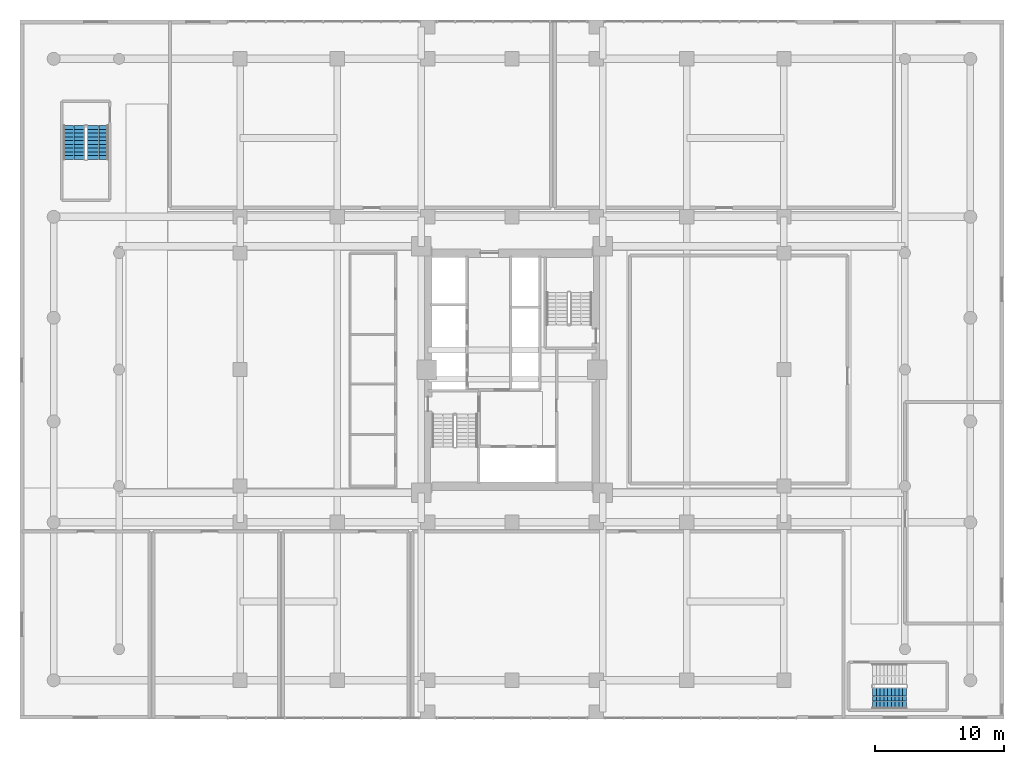
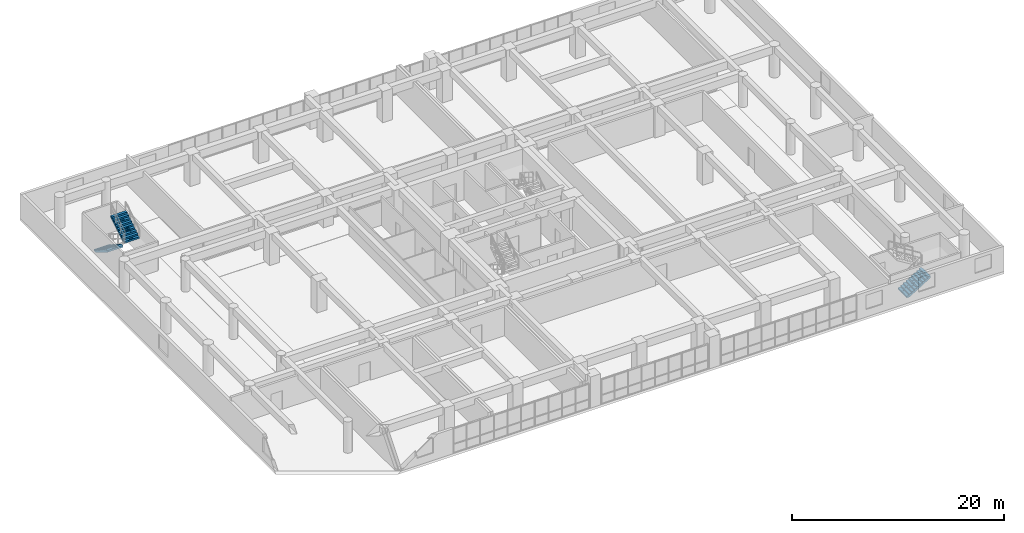
# One storey, part 23 of 30: 3 stair flights, 2 elements without a shape of their own.
"""IFC4 building model written with IfcOpenShell, lengths in metres."""

from ifc_helpers import new_model, si_unit, direction, frame, origin, place, context, subcontext, project, spatial, polyline, outline, extrude, material, type_object, element, aggregate, save


model = new_model("IFC4")

# Units and contexts
model_context = context("Model", 3, precision=1e-05, world=origin(), true_north=direction((0.0, 1.0)))
body_context = subcontext(model_context, "Body", "Model", "MODEL_VIEW")
ifc_project = project(units=[si_unit("LENGTHUNIT", "METRE"), si_unit("AREAUNIT", "SQUARE_METRE"), si_unit("VOLUMEUNIT", "CUBIC_METRE"), si_unit("PLANEANGLEUNIT", "RADIAN"), si_unit("MASSUNIT", "GRAM", prefix="KILO")], contexts=[model_context])

# Site, building, storey
site_placement = place(None, origin())
site = spatial("IfcSite", under=ifc_project, at=site_placement, CompositionType="ELEMENT")
building_placement = place(site_placement, origin())
building = spatial("IfcBuilding", under=site, at=building_placement, Name="Saelheon Loggia Tower", CompositionType="ELEMENT")
storey_placement = place(building_placement, frame((0.0, 0.0, 7.800048828125)))
storey = spatial("IfcBuildingStorey", under=building, at=storey_placement, Name="L02", CompositionType="ELEMENT", Elevation=7.800048828125)

# Stair, stair flights
ifc_material = material(Name="Concrete C40/50", Category="concrete")
stair_type = type_object("IfcStairType", Name="Stair_Escape_Podium", PredefinedType="HALF_TURN_STAIR", material=ifc_material)
stair_1_placement = place(storey_placement, origin())
stair_1 = element("IfcStair", 1, at=stair_1_placement, inside=storey, type_object=stair_type, Name="L02 Podium Escape Stair ST3", PredefinedType="HALF_TURN_STAIR")
stair_flight_type = type_object("IfcStairFlightType", Name="StairFlight_Podium_1660", PredefinedType="STRAIGHT", material=ifc_material)
stair_flight_1_placement = place(storey_placement, frame((4.179931640625, 45.85009765625, 0.0), z_axis=(0.0, 0.0, 1.0), x_axis=(0.0, -1.0, 0.0)))
stair_flight_1 = element("IfcStairFlight", 2, at=stair_flight_1_placement, type_object=stair_flight_type, Name="ST3 flight 1", NumberOfRisers=10, NumberOfTreads=9, PredefinedType="STRAIGHT", RiserHeight=0.18, TreadLength=0.29, context=body_context, shape_type="SweptSolid", body=[
    extrude(outline(polyline([(0.0, 0.0), (0.0, 0.179931640625), (0.2900390625, 0.179931640625), (0.2900390625, 0.360107421875), (0.580078125, 0.360107421875), (0.580078125, 0.5400390625), (0.8701171875, 0.5400390625), (0.8701171875, 0.719970703125), (1.159912109375, 0.719970703125), (1.159912109375, 0.89990234375), (1.449951171875, 0.89990234375), (1.449951171875, 1.080078125), (1.739990234375, 1.080078125), (1.739990234375, 1.260009765625), (2.030029296875, 1.260009765625), (2.030029296875, 1.43994140625), (2.320068359375, 1.43994140625), (2.320068359375, 1.6201171875), (2.610107421875, 1.6201171875), (2.610107421875, 1.800048828125), (2.610107421875, 1.408203125), (0.34130859375, 0.0), (0.0, 0.0)])), frame((0.0, -0.2490234375, 0.0), z_axis=(0.0, -1.0, 0.0), x_axis=(1.0, 0.0, 0.0)), (0.0, 0.0, 1.0), 0.5810546875),
    extrude(outline(polyline([(0.0, 0.0), (0.0, 0.179931640625), (0.2900390625, 0.179931640625), (0.2900390625, 0.360107421875), (0.580078125, 0.360107421875), (0.580078125, 0.5400390625), (0.8701171875, 0.5400390625), (0.8701171875, 0.719970703125), (1.159912109375, 0.719970703125), (1.159912109375, 0.89990234375), (1.449951171875, 0.89990234375), (1.449951171875, 1.080078125), (1.739990234375, 1.080078125), (1.739990234375, 1.260009765625), (2.030029296875, 1.260009765625), (2.030029296875, 1.43994140625), (2.320068359375, 1.43994140625), (2.320068359375, 1.6201171875), (2.610107421875, 1.6201171875), (2.610107421875, 1.800048828125), (2.610107421875, 1.408203125), (0.34130859375, 0.0), (0.0, 0.0)])), frame((0.0, -0.194091796875, 0.0), z_axis=(0.0, -1.0, 0.0), x_axis=(1.0, 0.0, 0.0)), (0.0, 0.0, 1.0), 0.0498046875),
    extrude(outline(polyline([(0.0, 0.0), (0.0, 0.179931640625), (0.2900390625, 0.179931640625), (0.2900390625, 0.360107421875), (0.580078125, 0.360107421875), (0.580078125, 0.5400390625), (0.8701171875, 0.5400390625), (0.8701171875, 0.719970703125), (1.159912109375, 0.719970703125), (1.159912109375, 0.89990234375), (1.449951171875, 0.89990234375), (1.449951171875, 1.080078125), (1.739990234375, 1.080078125), (1.739990234375, 1.260009765625), (2.030029296875, 1.260009765625), (2.030029296875, 1.43994140625), (2.320068359375, 1.43994140625), (2.320068359375, 1.6201171875), (2.610107421875, 1.6201171875), (2.610107421875, 1.800048828125), (2.610107421875, 1.408203125), (0.34130859375, 0.0), (0.0, 0.0)])), frame((0.0, -0.139404296875, 0.0), z_axis=(0.0, -1.0, 0.0), x_axis=(1.0, 0.0, 0.0)), (0.0, 0.0, 1.0), 0.0498046875),
    extrude(outline(polyline([(0.0, 0.0), (0.0, 0.179931640625), (0.2900390625, 0.179931640625), (0.2900390625, 0.360107421875), (0.580078125, 0.360107421875), (0.580078125, 0.5400390625), (0.8701171875, 0.5400390625), (0.8701171875, 0.719970703125), (1.159912109375, 0.719970703125), (1.159912109375, 0.89990234375), (1.449951171875, 0.89990234375), (1.449951171875, 1.080078125), (1.739990234375, 1.080078125), (1.739990234375, 1.260009765625), (2.030029296875, 1.260009765625), (2.030029296875, 1.43994140625), (2.320068359375, 1.43994140625), (2.320068359375, 1.6201171875), (2.610107421875, 1.6201171875), (2.610107421875, 1.800048828125), (2.610107421875, 1.408203125), (0.34130859375, 0.0), (0.0, 0.0)])), frame((0.0, -0.084716796875, 0.0), z_axis=(0.0, -1.0, 0.0), x_axis=(1.0, 0.0, 0.0)), (0.0, 0.0, 1.0), 0.0498046875),
    extrude(outline(polyline([(0.0, 0.0), (0.0, 0.179931640625), (0.2900390625, 0.179931640625), (0.2900390625, 0.360107421875), (0.580078125, 0.360107421875), (0.580078125, 0.5400390625), (0.8701171875, 0.5400390625), (0.8701171875, 0.719970703125), (1.159912109375, 0.719970703125), (1.159912109375, 0.89990234375), (1.449951171875, 0.89990234375), (1.449951171875, 1.080078125), (1.739990234375, 1.080078125), (1.739990234375, 1.260009765625), (2.030029296875, 1.260009765625), (2.030029296875, 1.43994140625), (2.320068359375, 1.43994140625), (2.320068359375, 1.6201171875), (2.610107421875, 1.6201171875), (2.610107421875, 1.800048828125), (2.610107421875, 1.408203125), (0.34130859375, 0.0), (0.0, 0.0)])), frame((0.0, -0.02978515625, 0.0), z_axis=(0.0, -1.0, 0.0), x_axis=(1.0, 0.0, 0.0)), (0.0, 0.0, 1.0), 0.0498046875),
    extrude(outline(polyline([(0.0, 0.0), (0.0, 0.179931640625), (0.2900390625, 0.179931640625), (0.2900390625, 0.360107421875), (0.580078125, 0.360107421875), (0.580078125, 0.5400390625), (0.8701171875, 0.5400390625), (0.8701171875, 0.719970703125), (1.159912109375, 0.719970703125), (1.159912109375, 0.89990234375), (1.449951171875, 0.89990234375), (1.449951171875, 1.080078125), (1.739990234375, 1.080078125), (1.739990234375, 1.260009765625), (2.030029296875, 1.260009765625), (2.030029296875, 1.43994140625), (2.320068359375, 1.43994140625), (2.320068359375, 1.6201171875), (2.610107421875, 1.6201171875), (2.610107421875, 1.800048828125), (2.610107421875, 1.408203125), (0.34130859375, 0.0), (0.0, 0.0)])), frame((0.0, 0.02490234375, 0.0), z_axis=(0.0, -1.0, 0.0), x_axis=(1.0, 0.0, 0.0)), (0.0, 0.0, 1.0), 0.0498046875),
    extrude(outline(polyline([(0.0, 0.0), (0.0, 0.179931640625), (0.2900390625, 0.179931640625), (0.2900390625, 0.360107421875), (0.580078125, 0.360107421875), (0.580078125, 0.5400390625), (0.8701171875, 0.5400390625), (0.8701171875, 0.719970703125), (1.159912109375, 0.719970703125), (1.159912109375, 0.89990234375), (1.449951171875, 0.89990234375), (1.449951171875, 1.080078125), (1.739990234375, 1.080078125), (1.739990234375, 1.260009765625), (2.030029296875, 1.260009765625), (2.030029296875, 1.43994140625), (2.320068359375, 1.43994140625), (2.320068359375, 1.6201171875), (2.610107421875, 1.6201171875), (2.610107421875, 1.800048828125), (2.610107421875, 1.408203125), (0.34130859375, 0.0), (0.0, 0.0)])), frame((0.0, 0.07958984375, 0.0), z_axis=(0.0, -1.0, 0.0), x_axis=(1.0, 0.0, 0.0)), (0.0, 0.0, 1.0), 0.0498046875),
    extrude(outline(polyline([(0.0, 0.0), (0.0, 0.179931640625), (0.2900390625, 0.179931640625), (0.2900390625, 0.360107421875), (0.580078125, 0.360107421875), (0.580078125, 0.5400390625), (0.8701171875, 0.5400390625), (0.8701171875, 0.719970703125), (1.159912109375, 0.719970703125), (1.159912109375, 0.89990234375), (1.449951171875, 0.89990234375), (1.449951171875, 1.080078125), (1.739990234375, 1.080078125), (1.739990234375, 1.260009765625), (2.030029296875, 1.260009765625), (2.030029296875, 1.43994140625), (2.320068359375, 1.43994140625), (2.320068359375, 1.6201171875), (2.610107421875, 1.6201171875), (2.610107421875, 1.800048828125), (2.610107421875, 1.408203125), (0.34130859375, 0.0), (0.0, 0.0)])), frame((0.0, 0.134521484375, 0.0), z_axis=(0.0, -1.0, 0.0), x_axis=(1.0, 0.0, 0.0)), (0.0, 0.0, 1.0), 0.0498046875),
    extrude(outline(polyline([(0.0, 0.0), (0.0, 0.179931640625), (0.2900390625, 0.179931640625), (0.2900390625, 0.360107421875), (0.580078125, 0.360107421875), (0.580078125, 0.5400390625), (0.8701171875, 0.5400390625), (0.8701171875, 0.719970703125), (1.159912109375, 0.719970703125), (1.159912109375, 0.89990234375), (1.449951171875, 0.89990234375), (1.449951171875, 1.080078125), (1.739990234375, 1.080078125), (1.739990234375, 1.260009765625), (2.030029296875, 1.260009765625), (2.030029296875, 1.43994140625), (2.320068359375, 1.43994140625), (2.320068359375, 1.6201171875), (2.610107421875, 1.6201171875), (2.610107421875, 1.800048828125), (2.610107421875, 1.408203125), (0.34130859375, 0.0), (0.0, 0.0)])), frame((0.0, 0.189208984375, 0.0), z_axis=(0.0, -1.0, 0.0), x_axis=(1.0, 0.0, 0.0)), (0.0, 0.0, 1.0), 0.0498046875),
    extrude(outline(polyline([(0.0, 0.0), (0.0, 0.179931640625), (0.2900390625, 0.179931640625), (0.2900390625, 0.360107421875), (0.580078125, 0.360107421875), (0.580078125, 0.5400390625), (0.8701171875, 0.5400390625), (0.8701171875, 0.719970703125), (1.159912109375, 0.719970703125), (1.159912109375, 0.89990234375), (1.449951171875, 0.89990234375), (1.449951171875, 1.080078125), (1.739990234375, 1.080078125), (1.739990234375, 1.260009765625), (2.030029296875, 1.260009765625), (2.030029296875, 1.43994140625), (2.320068359375, 1.43994140625), (2.320068359375, 1.6201171875), (2.610107421875, 1.6201171875), (2.610107421875, 1.800048828125), (2.610107421875, 1.408203125), (0.34130859375, 0.0), (0.0, 0.0)])), frame((0.0, 0.243896484375, 0.0), z_axis=(0.0, -1.0, 0.0), x_axis=(1.0, 0.0, 0.0)), (0.0, 0.0, 1.0), 0.0498046875),
    extrude(outline(polyline([(0.0, 0.0), (0.0, 0.179931640625), (0.2900390625, 0.179931640625), (0.2900390625, 0.360107421875), (0.580078125, 0.360107421875), (0.580078125, 0.5400390625), (0.8701171875, 0.5400390625), (0.8701171875, 0.719970703125), (1.159912109375, 0.719970703125), (1.159912109375, 0.89990234375), (1.449951171875, 0.89990234375), (1.449951171875, 1.080078125), (1.739990234375, 1.080078125), (1.739990234375, 1.260009765625), (2.030029296875, 1.260009765625), (2.030029296875, 1.43994140625), (2.320068359375, 1.43994140625), (2.320068359375, 1.6201171875), (2.610107421875, 1.6201171875), (2.610107421875, 1.800048828125), (2.610107421875, 1.408203125), (0.34130859375, 0.0), (0.0, 0.0)])), frame((0.0, 0.830078125, 0.0), z_axis=(0.0, -1.0, 0.0), x_axis=(1.0, 0.0, 0.0)), (0.0, 0.0, 1.0), 0.5810546875),
])
stair_flight_2_placement = place(storey_placement, frame((6.0, 43.239990234375, 1.800048828125), z_axis=(0.0, 0.0, 1.0), x_axis=(0.0, 1.0, 0.0)))
stair_flight_2 = element("IfcStairFlight", 3, at=stair_flight_2_placement, type_object=stair_flight_type, Name="ST3 flight 2", NumberOfRisers=10, NumberOfTreads=9, PredefinedType="STRAIGHT", RiserHeight=0.18, TreadLength=0.29, context=body_context, shape_type="SweptSolid", body=[
    extrude(outline(polyline([(0.0, 0.0), (0.0, 0.179931640625), (0.2900390625, 0.179931640625), (0.2900390625, 0.360107421875), (0.580078125, 0.360107421875), (0.580078125, 0.5400390625), (0.8701171875, 0.5400390625), (0.8701171875, 0.719970703125), (1.159912109375, 0.719970703125), (1.159912109375, 0.89990234375), (1.449951171875, 0.89990234375), (1.449951171875, 1.080078125), (1.739990234375, 1.080078125), (1.739990234375, 1.260009765625), (2.030029296875, 1.260009765625), (2.030029296875, 1.43994140625), (2.320068359375, 1.43994140625), (2.320068359375, 1.6201171875), (2.610107421875, 1.6201171875), (2.610107421875, 1.800048828125), (2.610107421875, 1.408203125), (0.34130859375, 0.0), (0.0, 0.0)])), frame((0.0, -0.2490234375, 0.0), z_axis=(0.0, -1.0, 0.0), x_axis=(1.0, 0.0, 0.0)), (0.0, 0.0, 1.0), 0.5810546875),
    extrude(outline(polyline([(0.0, 0.0), (0.0, 0.179931640625), (0.2900390625, 0.179931640625), (0.2900390625, 0.360107421875), (0.580078125, 0.360107421875), (0.580078125, 0.5400390625), (0.8701171875, 0.5400390625), (0.8701171875, 0.719970703125), (1.159912109375, 0.719970703125), (1.159912109375, 0.89990234375), (1.449951171875, 0.89990234375), (1.449951171875, 1.080078125), (1.739990234375, 1.080078125), (1.739990234375, 1.260009765625), (2.030029296875, 1.260009765625), (2.030029296875, 1.43994140625), (2.320068359375, 1.43994140625), (2.320068359375, 1.6201171875), (2.610107421875, 1.6201171875), (2.610107421875, 1.800048828125), (2.610107421875, 1.408203125), (0.34130859375, 0.0), (0.0, 0.0)])), frame((0.0, -0.194091796875, 0.0), z_axis=(0.0, -1.0, 0.0), x_axis=(1.0, 0.0, 0.0)), (0.0, 0.0, 1.0), 0.0498046875),
    extrude(outline(polyline([(0.0, 0.0), (0.0, 0.179931640625), (0.2900390625, 0.179931640625), (0.2900390625, 0.360107421875), (0.580078125, 0.360107421875), (0.580078125, 0.5400390625), (0.8701171875, 0.5400390625), (0.8701171875, 0.719970703125), (1.159912109375, 0.719970703125), (1.159912109375, 0.89990234375), (1.449951171875, 0.89990234375), (1.449951171875, 1.080078125), (1.739990234375, 1.080078125), (1.739990234375, 1.260009765625), (2.030029296875, 1.260009765625), (2.030029296875, 1.43994140625), (2.320068359375, 1.43994140625), (2.320068359375, 1.6201171875), (2.610107421875, 1.6201171875), (2.610107421875, 1.800048828125), (2.610107421875, 1.408203125), (0.34130859375, 0.0), (0.0, 0.0)])), frame((0.0, -0.139404296875, 0.0), z_axis=(0.0, -1.0, 0.0), x_axis=(1.0, 0.0, 0.0)), (0.0, 0.0, 1.0), 0.0498046875),
    extrude(outline(polyline([(0.0, 0.0), (0.0, 0.179931640625), (0.2900390625, 0.179931640625), (0.2900390625, 0.360107421875), (0.580078125, 0.360107421875), (0.580078125, 0.5400390625), (0.8701171875, 0.5400390625), (0.8701171875, 0.719970703125), (1.159912109375, 0.719970703125), (1.159912109375, 0.89990234375), (1.449951171875, 0.89990234375), (1.449951171875, 1.080078125), (1.739990234375, 1.080078125), (1.739990234375, 1.260009765625), (2.030029296875, 1.260009765625), (2.030029296875, 1.43994140625), (2.320068359375, 1.43994140625), (2.320068359375, 1.6201171875), (2.610107421875, 1.6201171875), (2.610107421875, 1.800048828125), (2.610107421875, 1.408203125), (0.34130859375, 0.0), (0.0, 0.0)])), frame((0.0, -0.084716796875, 0.0), z_axis=(0.0, -1.0, 0.0), x_axis=(1.0, 0.0, 0.0)), (0.0, 0.0, 1.0), 0.0498046875),
    extrude(outline(polyline([(0.0, 0.0), (0.0, 0.179931640625), (0.2900390625, 0.179931640625), (0.2900390625, 0.360107421875), (0.580078125, 0.360107421875), (0.580078125, 0.5400390625), (0.8701171875, 0.5400390625), (0.8701171875, 0.719970703125), (1.159912109375, 0.719970703125), (1.159912109375, 0.89990234375), (1.449951171875, 0.89990234375), (1.449951171875, 1.080078125), (1.739990234375, 1.080078125), (1.739990234375, 1.260009765625), (2.030029296875, 1.260009765625), (2.030029296875, 1.43994140625), (2.320068359375, 1.43994140625), (2.320068359375, 1.6201171875), (2.610107421875, 1.6201171875), (2.610107421875, 1.800048828125), (2.610107421875, 1.408203125), (0.34130859375, 0.0), (0.0, 0.0)])), frame((0.0, -0.02978515625, 0.0), z_axis=(0.0, -1.0, 0.0), x_axis=(1.0, 0.0, 0.0)), (0.0, 0.0, 1.0), 0.0498046875),
    extrude(outline(polyline([(0.0, 0.0), (0.0, 0.179931640625), (0.2900390625, 0.179931640625), (0.2900390625, 0.360107421875), (0.580078125, 0.360107421875), (0.580078125, 0.5400390625), (0.8701171875, 0.5400390625), (0.8701171875, 0.719970703125), (1.159912109375, 0.719970703125), (1.159912109375, 0.89990234375), (1.449951171875, 0.89990234375), (1.449951171875, 1.080078125), (1.739990234375, 1.080078125), (1.739990234375, 1.260009765625), (2.030029296875, 1.260009765625), (2.030029296875, 1.43994140625), (2.320068359375, 1.43994140625), (2.320068359375, 1.6201171875), (2.610107421875, 1.6201171875), (2.610107421875, 1.800048828125), (2.610107421875, 1.408203125), (0.34130859375, 0.0), (0.0, 0.0)])), frame((0.0, 0.02490234375, 0.0), z_axis=(0.0, -1.0, 0.0), x_axis=(1.0, 0.0, 0.0)), (0.0, 0.0, 1.0), 0.0498046875),
    extrude(outline(polyline([(0.0, 0.0), (0.0, 0.179931640625), (0.2900390625, 0.179931640625), (0.2900390625, 0.360107421875), (0.580078125, 0.360107421875), (0.580078125, 0.5400390625), (0.8701171875, 0.5400390625), (0.8701171875, 0.719970703125), (1.159912109375, 0.719970703125), (1.159912109375, 0.89990234375), (1.449951171875, 0.89990234375), (1.449951171875, 1.080078125), (1.739990234375, 1.080078125), (1.739990234375, 1.260009765625), (2.030029296875, 1.260009765625), (2.030029296875, 1.43994140625), (2.320068359375, 1.43994140625), (2.320068359375, 1.6201171875), (2.610107421875, 1.6201171875), (2.610107421875, 1.800048828125), (2.610107421875, 1.408203125), (0.34130859375, 0.0), (0.0, 0.0)])), frame((0.0, 0.07958984375, 0.0), z_axis=(0.0, -1.0, 0.0), x_axis=(1.0, 0.0, 0.0)), (0.0, 0.0, 1.0), 0.0498046875),
    extrude(outline(polyline([(0.0, 0.0), (0.0, 0.179931640625), (0.2900390625, 0.179931640625), (0.2900390625, 0.360107421875), (0.580078125, 0.360107421875), (0.580078125, 0.5400390625), (0.8701171875, 0.5400390625), (0.8701171875, 0.719970703125), (1.159912109375, 0.719970703125), (1.159912109375, 0.89990234375), (1.449951171875, 0.89990234375), (1.449951171875, 1.080078125), (1.739990234375, 1.080078125), (1.739990234375, 1.260009765625), (2.030029296875, 1.260009765625), (2.030029296875, 1.43994140625), (2.320068359375, 1.43994140625), (2.320068359375, 1.6201171875), (2.610107421875, 1.6201171875), (2.610107421875, 1.800048828125), (2.610107421875, 1.408203125), (0.34130859375, 0.0), (0.0, 0.0)])), frame((0.0, 0.134521484375, 0.0), z_axis=(0.0, -1.0, 0.0), x_axis=(1.0, 0.0, 0.0)), (0.0, 0.0, 1.0), 0.0498046875),
    extrude(outline(polyline([(0.0, 0.0), (0.0, 0.179931640625), (0.2900390625, 0.179931640625), (0.2900390625, 0.360107421875), (0.580078125, 0.360107421875), (0.580078125, 0.5400390625), (0.8701171875, 0.5400390625), (0.8701171875, 0.719970703125), (1.159912109375, 0.719970703125), (1.159912109375, 0.89990234375), (1.449951171875, 0.89990234375), (1.449951171875, 1.080078125), (1.739990234375, 1.080078125), (1.739990234375, 1.260009765625), (2.030029296875, 1.260009765625), (2.030029296875, 1.43994140625), (2.320068359375, 1.43994140625), (2.320068359375, 1.6201171875), (2.610107421875, 1.6201171875), (2.610107421875, 1.800048828125), (2.610107421875, 1.408203125), (0.34130859375, 0.0), (0.0, 0.0)])), frame((0.0, 0.189208984375, 0.0), z_axis=(0.0, -1.0, 0.0), x_axis=(1.0, 0.0, 0.0)), (0.0, 0.0, 1.0), 0.0498046875),
    extrude(outline(polyline([(0.0, 0.0), (0.0, 0.179931640625), (0.2900390625, 0.179931640625), (0.2900390625, 0.360107421875), (0.580078125, 0.360107421875), (0.580078125, 0.5400390625), (0.8701171875, 0.5400390625), (0.8701171875, 0.719970703125), (1.159912109375, 0.719970703125), (1.159912109375, 0.89990234375), (1.449951171875, 0.89990234375), (1.449951171875, 1.080078125), (1.739990234375, 1.080078125), (1.739990234375, 1.260009765625), (2.030029296875, 1.260009765625), (2.030029296875, 1.43994140625), (2.320068359375, 1.43994140625), (2.320068359375, 1.6201171875), (2.610107421875, 1.6201171875), (2.610107421875, 1.800048828125), (2.610107421875, 1.408203125), (0.34130859375, 0.0), (0.0, 0.0)])), frame((0.0, 0.243896484375, 0.0), z_axis=(0.0, -1.0, 0.0), x_axis=(1.0, 0.0, 0.0)), (0.0, 0.0, 1.0), 0.0498046875),
    extrude(outline(polyline([(0.0, 0.0), (0.0, 0.179931640625), (0.2900390625, 0.179931640625), (0.2900390625, 0.360107421875), (0.580078125, 0.360107421875), (0.580078125, 0.5400390625), (0.8701171875, 0.5400390625), (0.8701171875, 0.719970703125), (1.159912109375, 0.719970703125), (1.159912109375, 0.89990234375), (1.449951171875, 0.89990234375), (1.449951171875, 1.080078125), (1.739990234375, 1.080078125), (1.739990234375, 1.260009765625), (2.030029296875, 1.260009765625), (2.030029296875, 1.43994140625), (2.320068359375, 1.43994140625), (2.320068359375, 1.6201171875), (2.610107421875, 1.6201171875), (2.610107421875, 1.800048828125), (2.610107421875, 1.408203125), (0.34130859375, 0.0), (0.0, 0.0)])), frame((0.0, 0.830078125, 0.0), z_axis=(0.0, -1.0, 0.0), x_axis=(1.0, 0.0, 0.0)), (0.0, 0.0, 1.0), 0.5810546875),
])
aggregate(stair_1, [stair_flight_1, stair_flight_2])

# Stair, stair flight
stair_2_placement = place(storey_placement, origin())
stair_2 = element("IfcStair", 4, at=stair_2_placement, inside=storey, type_object=stair_type, Name="L02 Podium Escape Stair ST4", PredefinedType="HALF_TURN_STAIR")
stair_flight_3_placement = place(storey_placement, frame((65.85009765625, 1.6298828125, 0.0), z_axis=(0.0, 0.0, 1.0), x_axis=(1.0, 0.0, 0.0)))
stair_flight_3 = element("IfcStairFlight", 5, at=stair_flight_3_placement, type_object=stair_flight_type, Name="ST4 flight 1", NumberOfRisers=10, NumberOfTreads=9, PredefinedType="STRAIGHT", RiserHeight=0.18, TreadLength=0.29, context=body_context, shape_type="SweptSolid", body=[
    extrude(outline(polyline([(0.0, 0.0), (0.0, 0.179931640625), (0.2900390625, 0.179931640625), (0.2900390625, 0.360107421875), (0.580078125, 0.360107421875), (0.580078125, 0.5400390625), (0.8701171875, 0.5400390625), (0.8701171875, 0.719970703125), (1.159912109375, 0.719970703125), (1.159912109375, 0.89990234375), (1.449951171875, 0.89990234375), (1.449951171875, 1.080078125), (1.739990234375, 1.080078125), (1.739990234375, 1.260009765625), (2.030029296875, 1.260009765625), (2.030029296875, 1.43994140625), (2.320068359375, 1.43994140625), (2.320068359375, 1.6201171875), (2.610107421875, 1.6201171875), (2.610107421875, 1.800048828125), (2.610107421875, 1.408203125), (0.34130859375, 0.0), (0.0, 0.0)])), frame((0.0, -0.2490234375, 0.0), z_axis=(0.0, -1.0, 0.0), x_axis=(1.0, 0.0, 0.0)), (0.0, 0.0, 1.0), 0.5810546875),
    extrude(outline(polyline([(0.0, 0.0), (0.0, 0.179931640625), (0.2900390625, 0.179931640625), (0.2900390625, 0.360107421875), (0.580078125, 0.360107421875), (0.580078125, 0.5400390625), (0.8701171875, 0.5400390625), (0.8701171875, 0.719970703125), (1.159912109375, 0.719970703125), (1.159912109375, 0.89990234375), (1.449951171875, 0.89990234375), (1.449951171875, 1.080078125), (1.739990234375, 1.080078125), (1.739990234375, 1.260009765625), (2.030029296875, 1.260009765625), (2.030029296875, 1.43994140625), (2.320068359375, 1.43994140625), (2.320068359375, 1.6201171875), (2.610107421875, 1.6201171875), (2.610107421875, 1.800048828125), (2.610107421875, 1.408203125), (0.34130859375, 0.0), (0.0, 0.0)])), frame((0.0, -0.194091796875, 0.0), z_axis=(0.0, -1.0, 0.0), x_axis=(1.0, 0.0, 0.0)), (0.0, 0.0, 1.0), 0.0498046875),
    extrude(outline(polyline([(0.0, 0.0), (0.0, 0.179931640625), (0.2900390625, 0.179931640625), (0.2900390625, 0.360107421875), (0.580078125, 0.360107421875), (0.580078125, 0.5400390625), (0.8701171875, 0.5400390625), (0.8701171875, 0.719970703125), (1.159912109375, 0.719970703125), (1.159912109375, 0.89990234375), (1.449951171875, 0.89990234375), (1.449951171875, 1.080078125), (1.739990234375, 1.080078125), (1.739990234375, 1.260009765625), (2.030029296875, 1.260009765625), (2.030029296875, 1.43994140625), (2.320068359375, 1.43994140625), (2.320068359375, 1.6201171875), (2.610107421875, 1.6201171875), (2.610107421875, 1.800048828125), (2.610107421875, 1.408203125), (0.34130859375, 0.0), (0.0, 0.0)])), frame((0.0, -0.139404296875, 0.0), z_axis=(0.0, -1.0, 0.0), x_axis=(1.0, 0.0, 0.0)), (0.0, 0.0, 1.0), 0.0498046875),
    extrude(outline(polyline([(0.0, 0.0), (0.0, 0.179931640625), (0.2900390625, 0.179931640625), (0.2900390625, 0.360107421875), (0.580078125, 0.360107421875), (0.580078125, 0.5400390625), (0.8701171875, 0.5400390625), (0.8701171875, 0.719970703125), (1.159912109375, 0.719970703125), (1.159912109375, 0.89990234375), (1.449951171875, 0.89990234375), (1.449951171875, 1.080078125), (1.739990234375, 1.080078125), (1.739990234375, 1.260009765625), (2.030029296875, 1.260009765625), (2.030029296875, 1.43994140625), (2.320068359375, 1.43994140625), (2.320068359375, 1.6201171875), (2.610107421875, 1.6201171875), (2.610107421875, 1.800048828125), (2.610107421875, 1.408203125), (0.34130859375, 0.0), (0.0, 0.0)])), frame((0.0, -0.084716796875, 0.0), z_axis=(0.0, -1.0, 0.0), x_axis=(1.0, 0.0, 0.0)), (0.0, 0.0, 1.0), 0.0498046875),
    extrude(outline(polyline([(0.0, 0.0), (0.0, 0.179931640625), (0.2900390625, 0.179931640625), (0.2900390625, 0.360107421875), (0.580078125, 0.360107421875), (0.580078125, 0.5400390625), (0.8701171875, 0.5400390625), (0.8701171875, 0.719970703125), (1.159912109375, 0.719970703125), (1.159912109375, 0.89990234375), (1.449951171875, 0.89990234375), (1.449951171875, 1.080078125), (1.739990234375, 1.080078125), (1.739990234375, 1.260009765625), (2.030029296875, 1.260009765625), (2.030029296875, 1.43994140625), (2.320068359375, 1.43994140625), (2.320068359375, 1.6201171875), (2.610107421875, 1.6201171875), (2.610107421875, 1.800048828125), (2.610107421875, 1.408203125), (0.34130859375, 0.0), (0.0, 0.0)])), frame((0.0, -0.02978515625, 0.0), z_axis=(0.0, -1.0, 0.0), x_axis=(1.0, 0.0, 0.0)), (0.0, 0.0, 1.0), 0.0498046875),
    extrude(outline(polyline([(0.0, 0.0), (0.0, 0.179931640625), (0.2900390625, 0.179931640625), (0.2900390625, 0.360107421875), (0.580078125, 0.360107421875), (0.580078125, 0.5400390625), (0.8701171875, 0.5400390625), (0.8701171875, 0.719970703125), (1.159912109375, 0.719970703125), (1.159912109375, 0.89990234375), (1.449951171875, 0.89990234375), (1.449951171875, 1.080078125), (1.739990234375, 1.080078125), (1.739990234375, 1.260009765625), (2.030029296875, 1.260009765625), (2.030029296875, 1.43994140625), (2.320068359375, 1.43994140625), (2.320068359375, 1.6201171875), (2.610107421875, 1.6201171875), (2.610107421875, 1.800048828125), (2.610107421875, 1.408203125), (0.34130859375, 0.0), (0.0, 0.0)])), frame((0.0, 0.02490234375, 0.0), z_axis=(0.0, -1.0, 0.0), x_axis=(1.0, 0.0, 0.0)), (0.0, 0.0, 1.0), 0.0498046875),
    extrude(outline(polyline([(0.0, 0.0), (0.0, 0.179931640625), (0.2900390625, 0.179931640625), (0.2900390625, 0.360107421875), (0.580078125, 0.360107421875), (0.580078125, 0.5400390625), (0.8701171875, 0.5400390625), (0.8701171875, 0.719970703125), (1.159912109375, 0.719970703125), (1.159912109375, 0.89990234375), (1.449951171875, 0.89990234375), (1.449951171875, 1.080078125), (1.739990234375, 1.080078125), (1.739990234375, 1.260009765625), (2.030029296875, 1.260009765625), (2.030029296875, 1.43994140625), (2.320068359375, 1.43994140625), (2.320068359375, 1.6201171875), (2.610107421875, 1.6201171875), (2.610107421875, 1.800048828125), (2.610107421875, 1.408203125), (0.34130859375, 0.0), (0.0, 0.0)])), frame((0.0, 0.07958984375, 0.0), z_axis=(0.0, -1.0, 0.0), x_axis=(1.0, 0.0, 0.0)), (0.0, 0.0, 1.0), 0.0498046875),
    extrude(outline(polyline([(0.0, 0.0), (0.0, 0.179931640625), (0.2900390625, 0.179931640625), (0.2900390625, 0.360107421875), (0.580078125, 0.360107421875), (0.580078125, 0.5400390625), (0.8701171875, 0.5400390625), (0.8701171875, 0.719970703125), (1.159912109375, 0.719970703125), (1.159912109375, 0.89990234375), (1.449951171875, 0.89990234375), (1.449951171875, 1.080078125), (1.739990234375, 1.080078125), (1.739990234375, 1.260009765625), (2.030029296875, 1.260009765625), (2.030029296875, 1.43994140625), (2.320068359375, 1.43994140625), (2.320068359375, 1.6201171875), (2.610107421875, 1.6201171875), (2.610107421875, 1.800048828125), (2.610107421875, 1.408203125), (0.34130859375, 0.0), (0.0, 0.0)])), frame((0.0, 0.134521484375, 0.0), z_axis=(0.0, -1.0, 0.0), x_axis=(1.0, 0.0, 0.0)), (0.0, 0.0, 1.0), 0.0498046875),
    extrude(outline(polyline([(0.0, 0.0), (0.0, 0.179931640625), (0.2900390625, 0.179931640625), (0.2900390625, 0.360107421875), (0.580078125, 0.360107421875), (0.580078125, 0.5400390625), (0.8701171875, 0.5400390625), (0.8701171875, 0.719970703125), (1.159912109375, 0.719970703125), (1.159912109375, 0.89990234375), (1.449951171875, 0.89990234375), (1.449951171875, 1.080078125), (1.739990234375, 1.080078125), (1.739990234375, 1.260009765625), (2.030029296875, 1.260009765625), (2.030029296875, 1.43994140625), (2.320068359375, 1.43994140625), (2.320068359375, 1.6201171875), (2.610107421875, 1.6201171875), (2.610107421875, 1.800048828125), (2.610107421875, 1.408203125), (0.34130859375, 0.0), (0.0, 0.0)])), frame((0.0, 0.189208984375, 0.0), z_axis=(0.0, -1.0, 0.0), x_axis=(1.0, 0.0, 0.0)), (0.0, 0.0, 1.0), 0.0498046875),
    extrude(outline(polyline([(0.0, 0.0), (0.0, 0.179931640625), (0.2900390625, 0.179931640625), (0.2900390625, 0.360107421875), (0.580078125, 0.360107421875), (0.580078125, 0.5400390625), (0.8701171875, 0.5400390625), (0.8701171875, 0.719970703125), (1.159912109375, 0.719970703125), (1.159912109375, 0.89990234375), (1.449951171875, 0.89990234375), (1.449951171875, 1.080078125), (1.739990234375, 1.080078125), (1.739990234375, 1.260009765625), (2.030029296875, 1.260009765625), (2.030029296875, 1.43994140625), (2.320068359375, 1.43994140625), (2.320068359375, 1.6201171875), (2.610107421875, 1.6201171875), (2.610107421875, 1.800048828125), (2.610107421875, 1.408203125), (0.34130859375, 0.0), (0.0, 0.0)])), frame((0.0, 0.243896484375, 0.0), z_axis=(0.0, -1.0, 0.0), x_axis=(1.0, 0.0, 0.0)), (0.0, 0.0, 1.0), 0.0498046875),
    extrude(outline(polyline([(0.0, 0.0), (0.0, 0.179931640625), (0.2900390625, 0.179931640625), (0.2900390625, 0.360107421875), (0.580078125, 0.360107421875), (0.580078125, 0.5400390625), (0.8701171875, 0.5400390625), (0.8701171875, 0.719970703125), (1.159912109375, 0.719970703125), (1.159912109375, 0.89990234375), (1.449951171875, 0.89990234375), (1.449951171875, 1.080078125), (1.739990234375, 1.080078125), (1.739990234375, 1.260009765625), (2.030029296875, 1.260009765625), (2.030029296875, 1.43994140625), (2.320068359375, 1.43994140625), (2.320068359375, 1.6201171875), (2.610107421875, 1.6201171875), (2.610107421875, 1.800048828125), (2.610107421875, 1.408203125), (0.34130859375, 0.0), (0.0, 0.0)])), frame((0.0, 0.830078125, 0.0), z_axis=(0.0, -1.0, 0.0), x_axis=(1.0, 0.0, 0.0)), (0.0, 0.0, 1.0), 0.5810546875),
])
aggregate(stair_2, [stair_flight_3])

save(model, "model.ifc")
